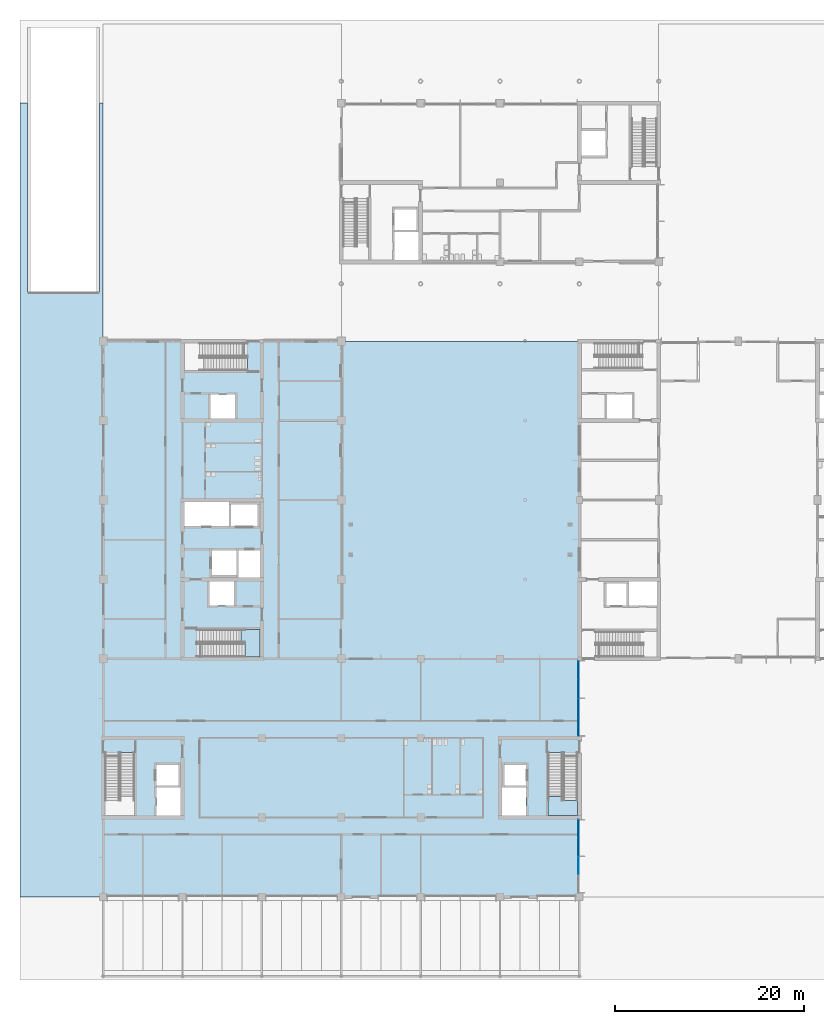
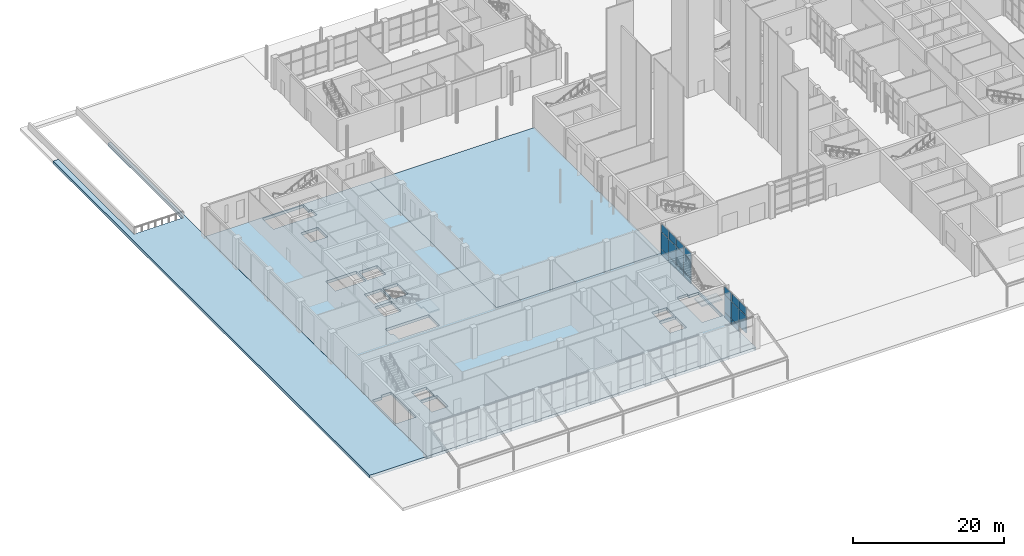
# One storey, part 26 of 76: 20 plates, 5 slabs, 4 elements without a shape of their own.
"""IFC4 building model written with IfcOpenShell, lengths in metres."""

from ifc_helpers import new_model, si_unit, direction, frame, origin, origin_2d, place, context, subcontext, project, spatial, polyline, rectangle, outline, extrude, material, layer, layer_set, type_object, element, aggregate, save


model = new_model("IFC4")

# Units and contexts
model_context = context("Model", 3, precision=1e-05, world=origin(), true_north=direction((0.0, 1.0)))
body_context = subcontext(model_context, "Body", "Model", "MODEL_VIEW")
ifc_project = project(units=[si_unit("LENGTHUNIT", "METRE"), si_unit("AREAUNIT", "SQUARE_METRE"), si_unit("VOLUMEUNIT", "CUBIC_METRE"), si_unit("PLANEANGLEUNIT", "RADIAN"), si_unit("MASSUNIT", "GRAM", prefix="KILO")], contexts=[model_context])

# Site, building, storey
site_placement = place(None, origin())
site = spatial("IfcSite", under=ifc_project, at=site_placement, CompositionType="ELEMENT")
building_placement = place(site_placement, origin())
building = spatial("IfcBuilding", under=site, at=building_placement, Name="Hlaing Beacon Police Headquarters", CompositionType="ELEMENT")
storey_placement = place(building_placement, origin())
storey = spatial("IfcBuildingStorey", under=building, at=storey_placement, Name="L00", CompositionType="ELEMENT", Elevation=0.0)

# Curtain wall, plates
ifc_material_1 = material(Name="Aluminium frame with solar control glazing", Category="aluminium")
curtain_wall_type_1 = type_object("IfcCurtainWallType", Name="Shopfront glazing 7.80 x 5.05", PredefinedType="NOTDEFINED", material=ifc_material_1)
curtain_wall_1_placement = place(storey_placement, origin())
curtain_wall_1 = element("IfcCurtainWall", 1, at=curtain_wall_1_placement, inside=storey, type_object=curtain_wall_type_1, Name="ENV-CW-L00-E001", PredefinedType="NOTDEFINED")
ifc_material_2 = material(Name="Ballistic-rated insulated aluminium spandrel", Category="aluminium")
ifc_layer_1 = layer(ifc_material_2, 0.1201171875)
ifc_layer_set_1 = layer_set([ifc_layer_1], Name="Ballistic-rated insulated aluminium spandrel")
plate_type_1 = type_object("IfcPlateType", Name="Ballistic-rated spandrel panel 120", PredefinedType="CURTAIN_PANEL", material=ifc_layer_set_1)
plate_1_placement = place(storey_placement, frame((58.7099609375, 13.675048828125, 0.0498046875), z_axis=(0.0, 0.0, 1.0), x_axis=(0.0, 1.0, 0.0)))
plate_1 = element("IfcPlate", 2, at=plate_1_placement, type_object=plate_type_1, Name="CW-L00-E001 panel 3.1", PredefinedType="CURTAIN_PANEL", context=body_context, shape_type="SweptSolid", body=[
    extrude(rectangle(XDim=1.89990234375, YDim=0.1201171875, at=origin_2d()), origin(), (0.0, 0.0, 1.0), 0.824951171875),
])
plate_2_placement = place(storey_placement, frame((58.7099609375, 15.612548828125, 0.0498046875), z_axis=(0.0, 0.0, 1.0), x_axis=(0.0, 1.0, 0.0)))
plate_2 = element("IfcPlate", 3, at=plate_2_placement, type_object=plate_type_1, Name="CW-L00-E001 panel 4.1", PredefinedType="CURTAIN_PANEL", context=body_context, shape_type="SweptSolid", body=[
    extrude(rectangle(XDim=1.875, YDim=0.1201171875, at=origin_2d()), origin(), (0.0, 0.0, 1.0), 0.824951171875),
])

ifc_material_3 = material(Name="Aluminium frame with solar control glazing", Category="aluminium")
curtain_wall_type_2 = type_object("IfcCurtainWallType", Name="Shopfront glazing 8.00 x 5.05", PredefinedType="NOTDEFINED", material=ifc_material_3)
curtain_wall_2_placement = place(storey_placement, origin())
curtain_wall_2 = element("IfcCurtainWall", 4, at=curtain_wall_2_placement, inside=storey, type_object=curtain_wall_type_2, Name="ENV-CW-L00-E002", PredefinedType="NOTDEFINED")
plate_3_placement = place(storey_placement, frame((58.7099609375, 26.41259765625, 0.0498046875), z_axis=(0.0, 0.0, 1.0), x_axis=(0.0, 1.0, 0.0)))
plate_3 = element("IfcPlate", 5, at=plate_3_placement, type_object=plate_type_1, Name="CW-L00-E002 panel 1.1", PredefinedType="CURTAIN_PANEL", context=body_context, shape_type="SweptSolid", body=[
    extrude(rectangle(XDim=1.925048828125, YDim=0.1201171875, at=origin_2d()), origin(), (0.0, 0.0, 1.0), 0.824951171875),
])
plate_4_placement = place(storey_placement, frame((58.7099609375, 28.39990234375, 0.0498046875), z_axis=(0.0, 0.0, 1.0), x_axis=(0.0, 1.0, 0.0)))
plate_4 = element("IfcPlate", 6, at=plate_4_placement, type_object=plate_type_1, Name="CW-L00-E002 panel 2.1", PredefinedType="CURTAIN_PANEL", context=body_context, shape_type="SweptSolid", body=[
    extrude(rectangle(XDim=1.949951171875, YDim=0.1201171875, at=origin_2d()), origin(), (0.0, 0.0, 1.0), 0.824951171875),
])
plate_5_placement = place(storey_placement, frame((58.7099609375, 30.39990234375, 0.0498046875), z_axis=(0.0, 0.0, 1.0), x_axis=(0.0, 1.0, 0.0)))
plate_5 = element("IfcPlate", 7, at=plate_5_placement, type_object=plate_type_1, Name="CW-L00-E002 panel 3.1", PredefinedType="CURTAIN_PANEL", context=body_context, shape_type="SweptSolid", body=[
    extrude(rectangle(XDim=1.949951171875, YDim=0.1201171875, at=origin_2d()), origin(), (0.0, 0.0, 1.0), 0.824951171875),
])
plate_6_placement = place(storey_placement, frame((58.7099609375, 32.387451171875, 0.0498046875), z_axis=(0.0, 0.0, 1.0), x_axis=(0.0, 1.0, 0.0)))
plate_6 = element("IfcPlate", 8, at=plate_6_placement, type_object=plate_type_1, Name="CW-L00-E002 panel 4.1", PredefinedType="CURTAIN_PANEL", context=body_context, shape_type="SweptSolid", body=[
    extrude(rectangle(XDim=1.925048828125, YDim=0.1201171875, at=origin_2d()), origin(), (0.0, 0.0, 1.0), 0.824951171875),
])

# Plate
ifc_material_4 = material(Name="Bullet-resistant laminated glass", Category="glass")
ifc_layer_2 = layer(ifc_material_4, 0.090087890625)
ifc_layer_set_2 = layer_set([ifc_layer_2], Name="Bullet-resistant laminated glass")
plate_type_2 = type_object("IfcPlateType", Name="Bullet-resistant laminated glazing panel 90", PredefinedType="CURTAIN_PANEL", material=ifc_layer_set_2)
plate_7_placement = place(storey_placement, frame((58.7099609375, 11.72509765625, 0.925048828125), z_axis=(0.0, 0.0, 1.0), x_axis=(0.0, 1.0, 0.0)))
plate_7 = element("IfcPlate", 9, at=plate_7_placement, type_object=plate_type_2, Name="CW-L00-E001 panel 2.2", PredefinedType="CURTAIN_PANEL", context=body_context, shape_type="SweptSolid", body=[
    extrude(rectangle(XDim=1.89990234375, YDim=0.090087890625, at=origin_2d()), origin(), (0.0, 0.0, 1.0), 2.75),
])

plate_8_placement = place(storey_placement, frame((58.7099609375, 13.675048828125, 0.925048828125), z_axis=(0.0, 0.0, 1.0), x_axis=(0.0, 1.0, 0.0)))
plate_8 = element("IfcPlate", 10, at=plate_8_placement, type_object=plate_type_2, Name="CW-L00-E001 panel 3.2", PredefinedType="CURTAIN_PANEL", context=body_context, shape_type="SweptSolid", body=[
    extrude(rectangle(XDim=1.89990234375, YDim=0.090087890625, at=origin_2d()), origin(), (0.0, 0.0, 1.0), 2.75),
])

plate_9_placement = place(storey_placement, frame((58.7099609375, 15.612548828125, 0.925048828125), z_axis=(0.0, 0.0, 1.0), x_axis=(0.0, 1.0, 0.0)))
plate_9 = element("IfcPlate", 11, at=plate_9_placement, type_object=plate_type_2, Name="CW-L00-E001 panel 4.2", PredefinedType="CURTAIN_PANEL", context=body_context, shape_type="SweptSolid", body=[
    extrude(rectangle(XDim=1.875, YDim=0.090087890625, at=origin_2d()), origin(), (0.0, 0.0, 1.0), 2.75),
])

plate_10_placement = place(storey_placement, frame((58.7099609375, 26.41259765625, 0.925048828125), z_axis=(0.0, 0.0, 1.0), x_axis=(0.0, 1.0, 0.0)))
plate_10 = element("IfcPlate", 12, at=plate_10_placement, type_object=plate_type_2, Name="CW-L00-E002 panel 1.2", PredefinedType="CURTAIN_PANEL", context=body_context, shape_type="SweptSolid", body=[
    extrude(rectangle(XDim=1.925048828125, YDim=0.090087890625, at=origin_2d()), origin(), (0.0, 0.0, 1.0), 2.75),
])

plate_11_placement = place(storey_placement, frame((58.7099609375, 28.39990234375, 0.925048828125), z_axis=(0.0, 0.0, 1.0), x_axis=(0.0, 1.0, 0.0)))
plate_11 = element("IfcPlate", 13, at=plate_11_placement, type_object=plate_type_2, Name="CW-L00-E002 panel 2.2", PredefinedType="CURTAIN_PANEL", context=body_context, shape_type="SweptSolid", body=[
    extrude(rectangle(XDim=1.949951171875, YDim=0.090087890625, at=origin_2d()), origin(), (0.0, 0.0, 1.0), 2.75),
])

plate_12_placement = place(storey_placement, frame((58.7099609375, 30.39990234375, 0.925048828125), z_axis=(0.0, 0.0, 1.0), x_axis=(0.0, 1.0, 0.0)))
plate_12 = element("IfcPlate", 14, at=plate_12_placement, type_object=plate_type_2, Name="CW-L00-E002 panel 3.2", PredefinedType="CURTAIN_PANEL", context=body_context, shape_type="SweptSolid", body=[
    extrude(rectangle(XDim=1.949951171875, YDim=0.090087890625, at=origin_2d()), origin(), (0.0, 0.0, 1.0), 2.75),
])

plate_13_placement = place(storey_placement, frame((58.7099609375, 32.387451171875, 0.925048828125), z_axis=(0.0, 0.0, 1.0), x_axis=(0.0, 1.0, 0.0)))
plate_13 = element("IfcPlate", 15, at=plate_13_placement, type_object=plate_type_2, Name="CW-L00-E002 panel 4.2", PredefinedType="CURTAIN_PANEL", context=body_context, shape_type="SweptSolid", body=[
    extrude(rectangle(XDim=1.925048828125, YDim=0.090087890625, at=origin_2d()), origin(), (0.0, 0.0, 1.0), 2.75),
])

ifc_material_5 = material(Name="Solar control glazing", Category="glass")
ifc_layer_3 = layer(ifc_material_5, 0.031982421875)
ifc_layer_set_3 = layer_set([ifc_layer_3], Name="Solar control glazing")
plate_type_3 = type_object("IfcPlateType", Name="Clear glazing panel 32", PredefinedType="CURTAIN_PANEL", material=ifc_layer_set_3)
plate_14_placement = place(storey_placement, frame((58.7099609375, 11.72509765625, 3.72509765625), z_axis=(0.0, 0.0, 1.0), x_axis=(0.0, 1.0, 0.0)))
plate_14 = element("IfcPlate", 16, at=plate_14_placement, type_object=plate_type_3, Name="CW-L00-E001 panel 2.3", PredefinedType="CURTAIN_PANEL", context=body_context, shape_type="SweptSolid", body=[
    extrude(rectangle(XDim=1.89990234375, YDim=0.031982421875, at=origin_2d()), origin(), (0.0, 0.0, 1.0), 1.27490234375),
])

plate_15_placement = place(storey_placement, frame((58.7099609375, 13.675048828125, 3.72509765625), z_axis=(0.0, 0.0, 1.0), x_axis=(0.0, 1.0, 0.0)))
plate_15 = element("IfcPlate", 17, at=plate_15_placement, type_object=plate_type_3, Name="CW-L00-E001 panel 3.3", PredefinedType="CURTAIN_PANEL", context=body_context, shape_type="SweptSolid", body=[
    extrude(rectangle(XDim=1.89990234375, YDim=0.031982421875, at=origin_2d()), origin(), (0.0, 0.0, 1.0), 1.27490234375),
])

plate_16_placement = place(storey_placement, frame((58.7099609375, 15.612548828125, 3.72509765625), z_axis=(0.0, 0.0, 1.0), x_axis=(0.0, 1.0, 0.0)))
plate_16 = element("IfcPlate", 18, at=plate_16_placement, type_object=plate_type_3, Name="CW-L00-E001 panel 4.3", PredefinedType="CURTAIN_PANEL", context=body_context, shape_type="SweptSolid", body=[
    extrude(rectangle(XDim=1.875, YDim=0.031982421875, at=origin_2d()), origin(), (0.0, 0.0, 1.0), 1.27490234375),
])

aggregate(curtain_wall_1, [plate_7, plate_14, plate_1, plate_8, plate_15, plate_2, plate_9, plate_16])

plate_17_placement = place(storey_placement, frame((58.7099609375, 26.41259765625, 3.72509765625), z_axis=(0.0, 0.0, 1.0), x_axis=(0.0, 1.0, 0.0)))
plate_17 = element("IfcPlate", 19, at=plate_17_placement, type_object=plate_type_3, Name="CW-L00-E002 panel 1.3", PredefinedType="CURTAIN_PANEL", context=body_context, shape_type="SweptSolid", body=[
    extrude(rectangle(XDim=1.925048828125, YDim=0.031982421875, at=origin_2d()), origin(), (0.0, 0.0, 1.0), 1.27490234375),
])

plate_18_placement = place(storey_placement, frame((58.7099609375, 28.39990234375, 3.72509765625), z_axis=(0.0, 0.0, 1.0), x_axis=(0.0, 1.0, 0.0)))
plate_18 = element("IfcPlate", 20, at=plate_18_placement, type_object=plate_type_3, Name="CW-L00-E002 panel 2.3", PredefinedType="CURTAIN_PANEL", context=body_context, shape_type="SweptSolid", body=[
    extrude(rectangle(XDim=1.949951171875, YDim=0.031982421875, at=origin_2d()), origin(), (0.0, 0.0, 1.0), 1.27490234375),
])

plate_19_placement = place(storey_placement, frame((58.7099609375, 30.39990234375, 3.72509765625), z_axis=(0.0, 0.0, 1.0), x_axis=(0.0, 1.0, 0.0)))
plate_19 = element("IfcPlate", 21, at=plate_19_placement, type_object=plate_type_3, Name="CW-L00-E002 panel 3.3", PredefinedType="CURTAIN_PANEL", context=body_context, shape_type="SweptSolid", body=[
    extrude(rectangle(XDim=1.949951171875, YDim=0.031982421875, at=origin_2d()), origin(), (0.0, 0.0, 1.0), 1.27490234375),
])

plate_20_placement = place(storey_placement, frame((58.7099609375, 32.387451171875, 3.72509765625), z_axis=(0.0, 0.0, 1.0), x_axis=(0.0, 1.0, 0.0)))
plate_20 = element("IfcPlate", 22, at=plate_20_placement, type_object=plate_type_3, Name="CW-L00-E002 panel 4.3", PredefinedType="CURTAIN_PANEL", context=body_context, shape_type="SweptSolid", body=[
    extrude(rectangle(XDim=1.925048828125, YDim=0.031982421875, at=origin_2d()), origin(), (0.0, 0.0, 1.0), 1.27490234375),
])

aggregate(curtain_wall_2, [plate_3, plate_10, plate_17, plate_4, plate_11, plate_18, plate_5, plate_12, plate_19, plate_6, plate_13, plate_20])

# Slabs
ifc_material_6 = material(Name="Concrete C50/60", Category="concrete")
ifc_layer_4 = layer(ifc_material_6, 0.449951171875)
ifc_layer_set_4 = layer_set([ifc_layer_4], Name="Concrete C50/60")
slab_type_1 = type_object("IfcSlabType", Name="Deck slab 450", PredefinedType="FLOOR", material=ifc_layer_set_4)
slab_1_placement = place(storey_placement, frame((0.0, 0.0, -0.449951171875)))
element("IfcSlab", 23, at=slab_1_placement, inside=storey, type_object=slab_type_1, Name="STR-SLAB-L00-01", PredefinedType="FLOOR", context=body_context, shape_type="SweptSolid", body=[
    extrude(outline(polyline([(8.39990234375, 8.39990234375), (58.800048828125, 8.39990234375), (58.800048828125, 33.60009765625), (33.60009765625, 33.60009765625), (33.60009765625, 67.199951171875), (8.39990234375, 67.199951171875), (8.39990234375, 8.39990234375)]), holes=[polyline([(8.60009765625, 17.0), (11.699951171875, 17.0), (11.699951171875, 23.68994140625), (10.10009765625, 23.68994140625), (10.10009765625, 23.300048828125), (8.60009765625, 23.300048828125), (8.60009765625, 17.0)]), polyline([(14.050048828125, 17.0), (16.60009765625, 17.0), (16.60009765625, 19.949951171875), (14.050048828125, 19.949951171875), (14.050048828125, 17.0)]), polyline([(14.050048828125, 20.199951171875), (16.35009765625, 20.199951171875), (16.35009765625, 22.35009765625), (14.050048828125, 22.35009765625), (14.050048828125, 20.199951171875)]), polyline([(17.0, 47.64990234375), (21.699951171875, 47.64990234375), (21.699951171875, 50.199951171875), (17.0, 50.199951171875), (17.0, 47.64990234375)]), polyline([(17.0, 64.10009765625), (23.68994140625, 64.10009765625), (23.68994140625, 65.60009765625), (23.300048828125, 65.60009765625), (23.300048828125, 67.0), (17.0, 67.0), (17.0, 64.10009765625)]), polyline([(18.699951171875, 33.800048828125), (25.0, 33.800048828125), (25.0, 36.699951171875), (18.31005859375, 36.699951171875), (18.31005859375, 35.199951171875), (18.699951171875, 35.199951171875), (18.699951171875, 33.800048828125)]), polyline([(19.64990234375, 39.25), (22.25, 39.25), (22.25, 41.800048828125), (19.64990234375, 41.800048828125), (19.64990234375, 39.25)]), polyline([(19.75, 59.0), (22.35009765625, 59.0), (22.35009765625, 61.550048828125), (19.75, 61.550048828125), (19.75, 59.0)]), polyline([(19.89990234375, 42.449951171875), (22.5, 42.449951171875), (22.5, 45.050048828125), (19.89990234375, 45.050048828125), (19.89990234375, 42.449951171875)]), polyline([(21.949951171875, 47.64990234375), (24.75, 47.64990234375), (24.75, 49.949951171875), (21.949951171875, 49.949951171875), (21.949951171875, 47.64990234375)]), polyline([(22.75, 42.199951171875), (25.0, 42.199951171875), (25.0, 45.050048828125), (22.75, 45.050048828125), (22.75, 42.199951171875)]), polyline([(50.60009765625, 17.0), (53.14990234375, 17.0), (53.14990234375, 19.949951171875), (50.60009765625, 19.949951171875), (50.60009765625, 17.0)]), polyline([(50.85009765625, 20.199951171875), (53.14990234375, 20.199951171875), (53.14990234375, 22.35009765625), (50.85009765625, 22.35009765625), (50.85009765625, 20.199951171875)]), polyline([(55.5, 17.0), (58.60009765625, 17.0), (58.60009765625, 23.300048828125), (57.10009765625, 23.300048828125), (57.10009765625, 23.68994140625), (55.5, 23.68994140625), (55.5, 17.0)])]), origin(), (0.0, 0.0, 1.0), 0.449951171875),
])
slab_2_placement = place(storey_placement, frame((0.0, 0.0, -0.449951171875)))
element("IfcSlab", 24, at=slab_2_placement, inside=storey, type_object=slab_type_1, Name="STR-SLAB-L00-06", PredefinedType="FLOOR", context=body_context, shape_type="SweptSolid", body=[
    extrude(outline(polyline([(33.60009765625, 33.60009765625), (58.800048828125, 33.60009765625), (58.800048828125, 67.199951171875), (33.60009765625, 67.199951171875), (33.60009765625, 33.60009765625)])), origin(), (0.0, 0.0, 1.0), 0.449951171875),
])
slab_3_placement = place(storey_placement, frame((0.0, 0.0, -0.449951171875)))
element("IfcSlab", 25, at=slab_3_placement, inside=storey, type_object=slab_type_1, Name="STR-SLAB-L00-13", PredefinedType="FLOOR", context=body_context, shape_type="SweptSolid", body=[
    extrude(outline(polyline([(-0.39990234375, 8.39990234375), (8.39990234375, 8.39990234375), (8.39990234375, 92.39990234375), (8.0, 92.39990234375), (8.0, 72.39990234375), (0.39990234375, 72.39990234375), (0.39990234375, 92.39990234375), (-0.39990234375, 92.39990234375), (-0.39990234375, 8.39990234375)])), origin(), (0.0, 0.0, 1.0), 0.449951171875),
])

# Stair, slab
ifc_material_7 = material(Name="Concrete C40/50", Category="concrete")
stair_type_1 = type_object("IfcStairType", Name="Half-turn stair 1500 wide, 5400 rise", PredefinedType="HALF_TURN_STAIR", material=ifc_material_7)
stair_1_placement = place(storey_placement, origin())
stair_1 = element("IfcStair", 26, at=stair_1_placement, inside=storey, type_object=stair_type_1, Name="Stair ST-K", PredefinedType="HALF_TURN_STAIR")
ifc_material_8 = material(Name="Concrete C40/50", Category="concrete")
ifc_layer_5 = layer(ifc_material_8, 0.219970703125)
ifc_layer_set_5 = layer_set([ifc_layer_5], Name="Concrete C40/50")
slab_type_2 = type_object("IfcSlabType", Name="Stair landing 220", PredefinedType="LANDING", material=ifc_layer_set_5)
slab_4_placement = place(storey_placement, frame((0.0, 0.0, 2.47998046875)))
slab_4 = element("IfcSlab", 27, at=slab_4_placement, type_object=slab_type_2, Name="ST-K landing 1", PredefinedType="LANDING", context=body_context, shape_type="SweptSolid", body=[
    extrude(outline(polyline([(58.60009765625, 18.610107421875), (58.60009765625, 17.0), (55.5, 17.0), (55.5, 19.0), (57.0, 19.0), (57.0, 18.610107421875), (58.60009765625, 18.610107421875)])), origin(), (0.0, 0.0, 1.0), 0.219970703125),
])
aggregate(stair_1, [slab_4])

ifc_material_9 = material(Name="Concrete C40/50", Category="concrete")
stair_type_2 = type_object("IfcStairType", Name="Half-turn stair 1400 wide, 5400 rise", PredefinedType="HALF_TURN_STAIR", material=ifc_material_9)
stair_2_placement = place(storey_placement, origin())
stair_2 = element("IfcStair", 28, at=stair_2_placement, inside=storey, type_object=stair_type_2, Name="Stair ST-N", PredefinedType="HALF_TURN_STAIR")
slab_5_placement = place(storey_placement, frame((0.0, 0.0, 2.47998046875)))
slab_5 = element("IfcSlab", 29, at=slab_5_placement, type_object=slab_type_2, Name="ST-N landing 1", PredefinedType="LANDING", context=body_context, shape_type="SweptSolid", body=[
    extrude(outline(polyline([(23.389892578125, 33.800048828125), (25.0, 33.800048828125), (25.0, 36.699951171875), (23.0, 36.699951171875), (23.0, 35.300048828125), (23.389892578125, 35.300048828125), (23.389892578125, 33.800048828125)])), origin(), (0.0, 0.0, 1.0), 0.219970703125),
])
aggregate(stair_2, [slab_5])

save(model, "model.ifc")
